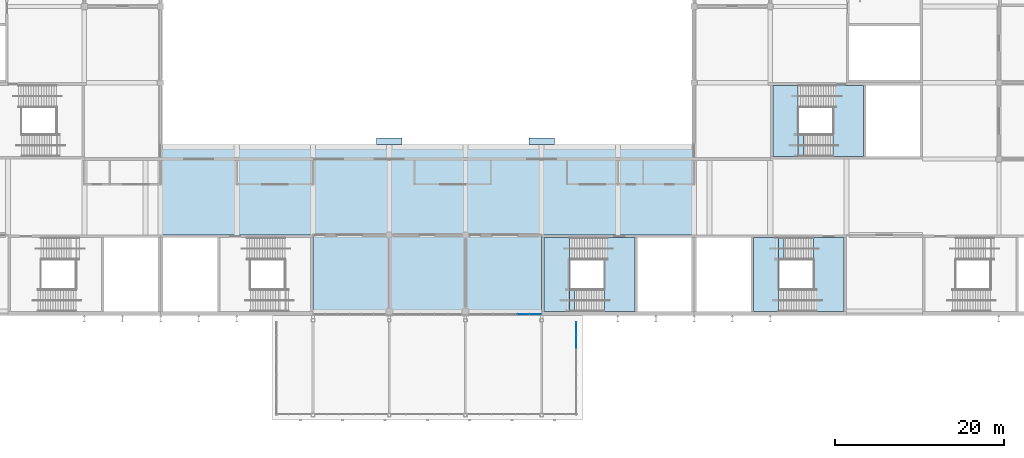
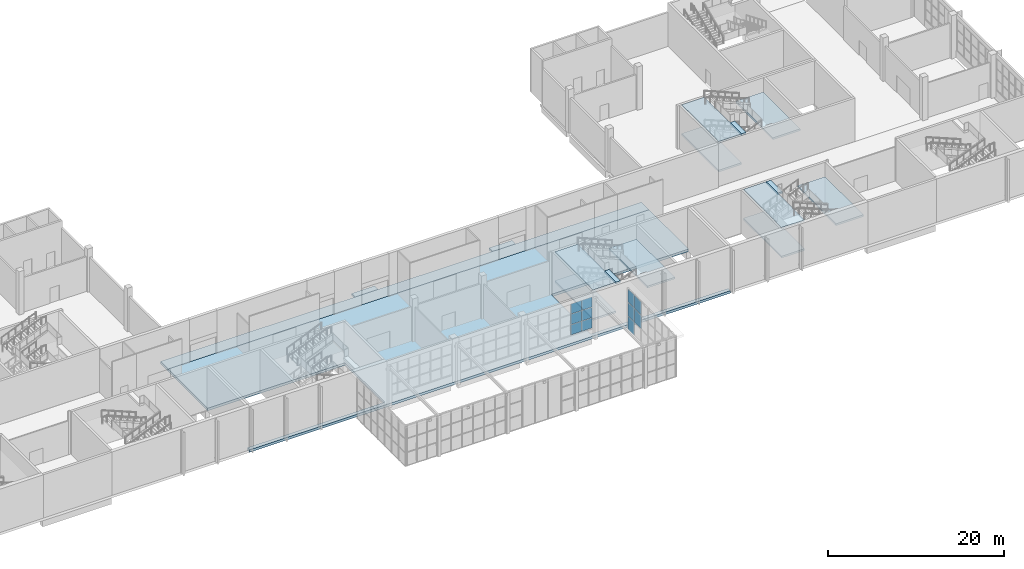
# One storey, part 31 of 89: 16 slabs, 11 plates, 5 elements without a shape of their own.
"""IFC4 building model written with IfcOpenShell, lengths in metres."""

import ifcopenshell
import ifcopenshell.guid

model = None  # the IFC model being written
_history = None  # IfcOwnerHistory: only IFC2X3 demands one
_inside = {}  # id of a spatial element -> (the spatial element, [elements in it])
_under = {}  # id of a project, library or spatial element -> (it, [spatial elements below it])
_declared = {}  # id of a project -> (the project, [libraries it declares])
_typed = {}  # id of a type object -> (the type object, [elements of that type])
_made_of = {}  # id of a material, layer set ... -> (it, [elements and type objects made of it])


def new_model(schema):
    """Start an empty IFC model of exactly this schema.

    Asked for "IFC4X3", IfcOpenShell would pick the latest addendum, in which some entities
    have other attributes; the version numbers below select the first issue.
    IFC2X3 requires an IfcOwnerHistory on every rooted entity: one is made here for all.
    """
    global model, _history
    if schema == "IFC4X3":
        model = ifcopenshell.file(schema_version=(4, 3, 0, 0))
    else:
        model = ifcopenshell.file(schema=schema)
    _inside.clear()
    _under.clear()
    _declared.clear()
    _typed.clear()
    _made_of.clear()
    _history = None
    if model.schema == "IFC2X3":
        org = make("IfcOrganization", Name="unknown")
        user = make(
            "IfcPersonAndOrganization",
            ThePerson=make("IfcPerson", FamilyName="unknown"),
            TheOrganization=org,
        )
        app = make(
            "IfcApplication",
            ApplicationDeveloper=org,
            Version="unknown",
            ApplicationFullName="unknown",
            ApplicationIdentifier="unknown",
        )
        _history = make(
            "IfcOwnerHistory",
            OwningUser=user,
            OwningApplication=app,
            ChangeAction="ADDED",
            CreationDate=0,
        )
    return model


def make(cls, **values):
    """One entity of the class cls with the attributes given. An attribute that is None is left unset."""
    return model.create_entity(
        cls, **{name: value for name, value in values.items() if value is not None}
    )


def rooted(cls, **values):
    """An entity with a GlobalId (a new one), such as an element, a storey or a relation."""
    return make(cls, GlobalId=ifcopenshell.guid.new(), OwnerHistory=_history, **values)


def si_unit(unit_type, name, prefix=None):
    """IfcSIUnit, for example si_unit("LENGTHUNIT", "METRE", prefix="MILLI")."""
    return make("IfcSIUnit", UnitType=unit_type, Prefix=prefix, Name=name)


def assignment(units):
    """IfcUnitAssignment: the units of a project."""
    return None if units is None else make("IfcUnitAssignment", Units=units)


def point(xyz):
    """IfcCartesianPoint."""
    return None if xyz is None else make("IfcCartesianPoint", Coordinates=xyz)


def direction(xyz):
    """IfcDirection."""
    return None if xyz is None else make("IfcDirection", DirectionRatios=xyz)


def frame(location, z_axis=None, x_axis=None):
    """IfcAxis2Placement3D, a coordinate frame: its origin and axes. An axis left out is left unset."""
    return make(
        "IfcAxis2Placement3D",
        Location=point(location),
        Axis=direction(z_axis),
        RefDirection=direction(x_axis),
    )


def frame_2d(location, x_axis=None):
    """IfcAxis2Placement2D, a coordinate frame in the plane: its origin and x axis."""
    return make(
        "IfcAxis2Placement2D", Location=point(location), RefDirection=direction(x_axis)
    )


def origin():
    """The frame at (0, 0, 0) with its axes left unset."""
    return frame((0.0, 0.0, 0.0))


def origin_2d():
    """The frame at (0, 0) in the plane with its x axis left unset."""
    return frame_2d((0.0, 0.0))


def place(relative_to, where):
    """IfcLocalPlacement: puts the frame where relative to a parent placement (None: the world)."""
    return make(
        "IfcLocalPlacement", PlacementRelTo=relative_to, RelativePlacement=where
    )


def context(
    kind, dimensions, precision=None, world=None, true_north=None, identifier=None
):
    """IfcGeometricRepresentationContext, for example the 3D "Model" context."""
    return make(
        "IfcGeometricRepresentationContext",
        ContextIdentifier=identifier,
        ContextType=kind,
        CoordinateSpaceDimension=dimensions,
        Precision=precision,
        WorldCoordinateSystem=world,
        TrueNorth=true_north,
    )


def subcontext(parent, identifier, kind, view, scale=None):
    """IfcGeometricRepresentationSubContext, for example "Body" below "Model"."""
    return make(
        "IfcGeometricRepresentationSubContext",
        ContextIdentifier=identifier,
        ContextType=kind,
        ParentContext=parent,
        TargetScale=scale,
        TargetView=view,
    )


def project(units=None, contexts=None):
    """IfcProject with its units and contexts."""
    return rooted(
        "IfcProject",
        Name="project",
        RepresentationContexts=contexts,
        UnitsInContext=assignment(units),
    )


def spatial(cls, under=None, at=None, **own):
    """A site, building, storey or space (cls), placed at a placement, below another one or the project."""
    s = rooted(cls, ObjectPlacement=at, **own)
    if under is not None:
        _under.setdefault(under.id(), (under, []))[1].append(s)
    return s


def polyline(points):
    """IfcPolyline through the points."""
    return make("IfcPolyline", Points=[point(p) for p in points])


def profile(cls, at=None, kind="AREA", **sizes):
    """A parametric profile (cls). Its sizes go by their IFC names, for example OverallWidth=200.0."""
    return make(cls, ProfileType=kind, Position=at, **sizes)


def rectangle(**sizes):
    """IfcRectangleProfileDef."""
    return profile("IfcRectangleProfileDef", **sizes)


def outline(outer, holes=None, kind="AREA"):
    """IfcArbitraryClosedProfileDef: a profile drawn as a closed curve; with holes, ...WithVoids."""
    if holes is None:
        return make("IfcArbitraryClosedProfileDef", ProfileType=kind, OuterCurve=outer)
    return make(
        "IfcArbitraryProfileDefWithVoids",
        ProfileType=kind,
        OuterCurve=outer,
        InnerCurves=holes,
    )


def extrude(swept, where, along, depth):
    """IfcExtrudedAreaSolid: the profile swept, set in the frame where, extruded along a direction by depth."""
    return make(
        "IfcExtrudedAreaSolid",
        SweptArea=swept,
        Position=where,
        ExtrudedDirection=direction(along),
        Depth=depth,
    )


def shape(context_of_items, identifier, shape_type, items):
    """IfcShapeRepresentation: the items that make up one representation, for example the "Body"."""
    return make(
        "IfcShapeRepresentation",
        ContextOfItems=context_of_items,
        RepresentationIdentifier=identifier,
        RepresentationType=shape_type,
        Items=items,
    )


def material(Name=None, Category=None):
    """IfcMaterial."""
    return make("IfcMaterial", Name=Name, Category=Category)


def layer(
    of_material, thickness, ventilated=None, Name=None, Category=None, Priority=None
):
    """IfcMaterialLayer: one layer of a wall or slab, of a material (None: an air gap)."""
    return make(
        "IfcMaterialLayer",
        Material=of_material,
        LayerThickness=thickness,
        IsVentilated=ventilated,
        Name=Name,
        Category=Category,
        Priority=Priority,
    )


def layer_set(layers, Name=None):
    """IfcMaterialLayerSet."""
    return make("IfcMaterialLayerSet", MaterialLayers=layers, LayerSetName=Name)


def made_of(thing, what):
    """Note that an element or type object is made of a material, layer set ...; save() writes the relation."""
    if what is not None:
        _made_of.setdefault(what.id(), (what, []))[1].append(thing)
    return thing


def type_object(cls, material=None, **own):
    """A type object (cls), such as IfcWallType, which elements share."""
    return made_of(rooted(cls, **own), material)


def element(
    cls,
    number,
    at=None,
    inside=None,
    cuts=None,
    type_object=None,
    material=None,
    context=None,
    identifier="Body",
    shape_type=None,
    held_by="IfcProductDefinitionShape",
    body=None,
    shapes=None,
    **own,
):
    """One element of the class cls, such as IfcWall. Its Tag is "e" and its number.

    at: its placement. inside: the storey or other place that contains it. cuts: it is an
    opening in that element (IfcRelVoidsElement). A single representation is given by context,
    identifier, shape_type and body (its items); several are given by shapes. held_by: the class
    of the entity that holds the representations. save() writes the other relations.
    """
    e = rooted(cls, Tag="e%d" % number, ObjectPlacement=at, **own)
    if body is not None:
        shapes = [shape(context, identifier, shape_type, body)]
    if shapes is not None:
        e.Representation = make(held_by, Representations=shapes)
    if inside is not None:
        _inside.setdefault(inside.id(), (inside, []))[1].append(e)
    if cuts is not None:
        rooted(
            "IfcRelVoidsElement", RelatingBuildingElement=cuts, RelatedOpeningElement=e
        )
    if type_object is not None:
        _typed.setdefault(type_object.id(), (type_object, []))[1].append(e)
    return made_of(e, material)


def aggregate(whole, parts):
    """IfcRelAggregates: a whole, such as a stair, and the parts it consists of."""
    return rooted("IfcRelAggregates", RelatingObject=whole, RelatedObjects=parts)


def save(model, path):
    """Write the relations noted so far, then the file.

    IfcRelAggregates (storeys below a building ...), IfcRelContainedInSpatialStructure (elements
    in a storey), IfcRelDefinesByType, IfcRelAssociatesMaterial and IfcRelDeclares: one each for
    every whole, place, type object, material and project.
    """
    for whole, parts in _under.values():
        aggregate(whole, parts)
    for where, things in _inside.values():
        rooted(
            "IfcRelContainedInSpatialStructure",
            RelatedElements=things,
            RelatingStructure=where,
        )
    for kind, things in _typed.values():
        rooted("IfcRelDefinesByType", RelatedObjects=things, RelatingType=kind)
    for what, things in _made_of.values():
        rooted("IfcRelAssociatesMaterial", RelatedObjects=things, RelatingMaterial=what)
    for by, libraries in _declared.values():
        rooted("IfcRelDeclares", RelatingContext=by, RelatedDefinitions=libraries)
    model.write(path)


model = new_model("IFC4")

# Units and contexts
model_context = context("Model", 3, precision=1e-05, world=origin(), true_north=direction((0.0, 1.0)))
body_context = subcontext(model_context, "Body", "Model", "MODEL_VIEW")
ifc_project = project(units=[si_unit("LENGTHUNIT", "METRE"), si_unit("AREAUNIT", "SQUARE_METRE"), si_unit("VOLUMEUNIT", "CUBIC_METRE"), si_unit("PLANEANGLEUNIT", "RADIAN"), si_unit("MASSUNIT", "GRAM", prefix="KILO")], contexts=[model_context])

# Site, building, storey
site_placement = place(None, origin())
site = spatial("IfcSite", under=ifc_project, at=site_placement, CompositionType="ELEMENT")
building_placement = place(site_placement, origin())
building = spatial("IfcBuilding", under=site, at=building_placement, Name="Silverbay Arena", CompositionType="ELEMENT")
storey_placement = place(building_placement, frame((0.0, 0.0, 22.0)))
storey = spatial("IfcBuildingStorey", under=building, at=storey_placement, Name="L03", CompositionType="ELEMENT", Elevation=22.0)

# Curtain wall, plates
ifc_material_1 = material(Name="Aluminium framed curtain wall", Category="aluminium")
curtain_wall_type_1 = type_object("IfcCurtainWallType", Name="Curtain wall 8600 x 4400", PredefinedType="NOTDEFINED", material=ifc_material_1)
curtain_wall_1_placement = place(storey_placement, origin())
curtain_wall_1 = element("IfcCurtainWall", 1, at=curtain_wall_1_placement, inside=storey, type_object=curtain_wall_type_1, Name="South curtain wall L03 bay 10", PredefinedType="NOTDEFINED")
ifc_material_2 = material(Name="Laminated glass", Category="glass")
ifc_layer_1 = layer(ifc_material_2, 0.028076171875)
ifc_layer_set_1 = layer_set([ifc_layer_1], Name="Laminated glass")
plate_type = type_object("IfcPlateType", Name="Glass panel 28", PredefinedType="CURTAIN_PANEL", material=ifc_layer_set_1)
plate_1_placement = place(storey_placement, frame((141.85009765625, 17.669921875, 1.050048828125), z_axis=(0.0, 0.0, 1.0), x_axis=(1.0, 0.0, 0.0)))
plate_1 = element("IfcPlate", 2, at=plate_1_placement, type_object=plate_type, Name="CW12 panel 5.1", PredefinedType="CURTAIN_PANEL", context=body_context, shape_type="SweptSolid", body=[
    extrude(rectangle(XDim=1.373291015625, YDim=0.028076171875, at=origin_2d()), origin(), (0.0, 0.0, 1.0), 1.3916015625),
])
plate_2_placement = place(storey_placement, frame((141.85009765625, 17.669921875, 2.49169921875), z_axis=(0.0, 0.0, 1.0), x_axis=(1.0, 0.0, 0.0)))
plate_2 = element("IfcPlate", 3, at=plate_2_placement, type_object=plate_type, Name="CW12 panel 5.2", PredefinedType="CURTAIN_PANEL", context=body_context, shape_type="SweptSolid", body=[
    extrude(rectangle(XDim=1.373291015625, YDim=0.028076171875, at=origin_2d()), origin(), (0.0, 0.0, 1.0), 1.416748046875),
])
plate_3_placement = place(storey_placement, frame((141.85009765625, 17.669921875, 3.958251953125), z_axis=(0.0, 0.0, 1.0), x_axis=(1.0, 0.0, 0.0)))
plate_3 = element("IfcPlate", 4, at=plate_3_placement, type_object=plate_type, Name="CW12 panel 5.3", PredefinedType="CURTAIN_PANEL", context=body_context, shape_type="SweptSolid", body=[
    extrude(rectangle(XDim=1.373291015625, YDim=0.028076171875, at=origin_2d()), origin(), (0.0, 0.0, 1.0), 1.3916015625),
])
plate_4_placement = place(storey_placement, frame((143.268310546875, 17.669921875, 1.050048828125), z_axis=(0.0, 0.0, 1.0), x_axis=(1.0, 0.0, 0.0)))
plate_4 = element("IfcPlate", 5, at=plate_4_placement, type_object=plate_type, Name="CW12 panel 6.1", PredefinedType="CURTAIN_PANEL", context=body_context, shape_type="SweptSolid", body=[
    extrude(rectangle(XDim=1.34326171875, YDim=0.028076171875, at=origin_2d()), origin(), (0.0, 0.0, 1.0), 1.3916015625),
])
plate_5_placement = place(storey_placement, frame((143.268310546875, 17.669921875, 2.49169921875), z_axis=(0.0, 0.0, 1.0), x_axis=(1.0, 0.0, 0.0)))
plate_5 = element("IfcPlate", 6, at=plate_5_placement, type_object=plate_type, Name="CW12 panel 6.2", PredefinedType="CURTAIN_PANEL", context=body_context, shape_type="SweptSolid", body=[
    extrude(rectangle(XDim=1.34326171875, YDim=0.028076171875, at=origin_2d()), origin(), (0.0, 0.0, 1.0), 1.416748046875),
])
plate_6_placement = place(storey_placement, frame((143.268310546875, 17.669921875, 3.958251953125), z_axis=(0.0, 0.0, 1.0), x_axis=(1.0, 0.0, 0.0)))
plate_6 = element("IfcPlate", 7, at=plate_6_placement, type_object=plate_type, Name="CW12 panel 6.3", PredefinedType="CURTAIN_PANEL", context=body_context, shape_type="SweptSolid", body=[
    extrude(rectangle(XDim=1.34326171875, YDim=0.028076171875, at=origin_2d()), origin(), (0.0, 0.0, 1.0), 1.3916015625),
])
aggregate(curtain_wall_1, [plate_1, plate_2, plate_3, plate_4, plate_5, plate_6])

ifc_material_3 = material(Name="Aluminium framed curtain wall", Category="aluminium")
curtain_wall_type_2 = type_object("IfcCurtainWallType", Name="Curtain wall 11000 x 5700", PredefinedType="NOTDEFINED", material=ifc_material_3)
curtain_wall_2_placement = place(storey_placement, origin())
curtain_wall_2 = element("IfcCurtainWall", 8, at=curtain_wall_2_placement, inside=storey, type_object=curtain_wall_type_2, Name="South entrance hall S1 glazing SB", PredefinedType="NOTDEFINED")
plate_7_placement = place(storey_placement, frame((148.090087890625, 14.392822265625, 1.925048828125), z_axis=(0.0, 0.0, 1.0), x_axis=(0.0, 1.0, 0.0)))
plate_7 = element("IfcPlate", 9, at=plate_7_placement, type_object=plate_type, Name="CW38 panel 6.2", PredefinedType="CURTAIN_PANEL", context=body_context, shape_type="SweptSolid", body=[
    extrude(rectangle(XDim=1.511474609375, YDim=0.028076171875, at=origin_2d()), origin(), (0.0, 0.0, 1.0), 1.85009765625),
])
plate_8_placement = place(storey_placement, frame((148.090087890625, 14.392822265625, 3.8251953125), z_axis=(0.0, 0.0, 1.0), x_axis=(0.0, 1.0, 0.0)))
plate_8 = element("IfcPlate", 10, at=plate_8_placement, type_object=plate_type, Name="CW38 panel 6.3", PredefinedType="CURTAIN_PANEL", context=body_context, shape_type="SweptSolid", body=[
    extrude(rectangle(XDim=1.511474609375, YDim=0.028076171875, at=origin_2d()), origin(), (0.0, 0.0, 1.0), 1.824951171875),
])
plate_9_placement = place(storey_placement, frame((148.090087890625, 15.94921875, 0.0498046875), z_axis=(0.0, 0.0, 1.0), x_axis=(0.0, 1.0, 0.0)))
plate_9 = element("IfcPlate", 11, at=plate_9_placement, type_object=plate_type, Name="CW38 panel 7.1", PredefinedType="CURTAIN_PANEL", context=body_context, shape_type="SweptSolid", body=[
    extrude(rectangle(XDim=1.4814453125, YDim=0.028076171875, at=origin_2d()), origin(), (0.0, 0.0, 1.0), 1.824951171875),
])
plate_10_placement = place(storey_placement, frame((148.090087890625, 15.94921875, 1.925048828125), z_axis=(0.0, 0.0, 1.0), x_axis=(0.0, 1.0, 0.0)))
plate_10 = element("IfcPlate", 12, at=plate_10_placement, type_object=plate_type, Name="CW38 panel 7.2", PredefinedType="CURTAIN_PANEL", context=body_context, shape_type="SweptSolid", body=[
    extrude(rectangle(XDim=1.4814453125, YDim=0.028076171875, at=origin_2d()), origin(), (0.0, 0.0, 1.0), 1.85009765625),
])
plate_11_placement = place(storey_placement, frame((148.090087890625, 15.94921875, 3.8251953125), z_axis=(0.0, 0.0, 1.0), x_axis=(0.0, 1.0, 0.0)))
plate_11 = element("IfcPlate", 13, at=plate_11_placement, type_object=plate_type, Name="CW38 panel 7.3", PredefinedType="CURTAIN_PANEL", context=body_context, shape_type="SweptSolid", body=[
    extrude(rectangle(XDim=1.4814453125, YDim=0.028076171875, at=origin_2d()), origin(), (0.0, 0.0, 1.0), 1.824951171875),
])
aggregate(curtain_wall_2, [plate_7, plate_8, plate_9, plate_10, plate_11])

# Slabs
ifc_material_4 = material(Name="Concrete Grade C45", Category="concrete")
ifc_layer_2 = layer(ifc_material_4, 0.35009765625)
ifc_layer_set_2 = layer_set([ifc_layer_2], Name="Concrete Grade C45")
slab_type_1 = type_object("IfcSlabType", Name="RC floor slab 350", PredefinedType="FLOOR", material=ifc_layer_set_2)
slab_1_placement = place(storey_placement, frame((0.0, 0.0, -0.35009765625)))
element("IfcSlab", 14, at=slab_1_placement, inside=storey, type_object=slab_type_1, Name="Floor slab L03 unit 2", PredefinedType="FLOOR", context=body_context, shape_type="SweptSolid", body=[
    extrude(outline(polyline([(99.0, 27.0), (99.0, 35.97509765625), (162.0, 35.97509765625), (162.0, 27.0), (144.0, 27.0), (144.0, 18.0), (162.0, 18.0), (162.0, 17.5), (99.0, 17.5), (99.0, 18.0), (117.0, 18.0), (117.0, 27.0), (99.0, 27.0)])), origin(), (0.0, 0.0, 1.0), 0.35009765625),
])
slab_2_placement = place(storey_placement, frame((0.0, 0.0, -0.35009765625)))
element("IfcSlab", 15, at=slab_2_placement, inside=storey, type_object=slab_type_1, Name="Floor slab L03 unit 5", PredefinedType="FLOOR", context=body_context, shape_type="SweptSolid", body=[
    extrude(outline(polyline([(99.0, 35.97509765625), (99.0, 37.699951171875), (162.0, 37.699951171875), (162.0, 35.97509765625), (99.0, 35.97509765625)])), origin(), (0.0, 0.0, 1.0), 0.35009765625),
])

# Stair, slab
ifc_material_5 = material(Name="Concrete Grade C45", Category="concrete")
stair_type = type_object("IfcStairType", Name="Stair 2600 wide 48 risers 125.0 x 300", PredefinedType="HALF_TURN_STAIR", material=ifc_material_5)
stair_1_placement = place(storey_placement, origin())
stair_1 = element("IfcStair", 16, at=stair_1_placement, inside=storey, type_object=stair_type, Name="Stair ST-S3 L03 to L04", PredefinedType="HALF_TURN_STAIR")
ifc_material_6 = material(Name="Concrete Grade C45", Category="concrete")
ifc_layer_3 = layer(ifc_material_6, 0.25)
ifc_layer_set_3 = layer_set([ifc_layer_3], Name="Concrete Grade C45")
slab_type_2 = type_object("IfcSlabType", Name="Stair arrival platform RC 250", PredefinedType="FLOOR", material=ifc_layer_set_3)
slab_3_placement = place(storey_placement, frame((0.0, 0.0, 5.75)))
slab_3 = element("IfcSlab", 17, at=slab_3_placement, type_object=slab_type_2, Name="Stair ST-S3 L03 to L04 arrival platform 4", PredefinedType="FLOOR", context=body_context, shape_type="SweptSolid", body=[
    extrude(outline(polyline([(147.89990234375, 20.60009765625), (147.2900390625, 20.60009765625), (147.2900390625, 18.0), (147.89990234375, 18.0), (147.89990234375, 20.60009765625)])), origin(), (0.0, 0.0, 1.0), 0.25),
])

stair_2_placement = place(storey_placement, origin())
stair_2 = element("IfcStair", 18, at=stair_2_placement, inside=storey, type_object=stair_type, Name="Stair ST-S4 L03 to L04", PredefinedType="HALF_TURN_STAIR")
slab_4_placement = place(storey_placement, frame((0.0, 0.0, 5.75)))
slab_4 = element("IfcSlab", 19, at=slab_4_placement, type_object=slab_type_2, Name="Stair ST-S4 L03 to L04 arrival platform 4", PredefinedType="FLOOR", context=body_context, shape_type="SweptSolid", body=[
    extrude(outline(polyline([(172.60009765625, 26.699951171875), (171.989990234375, 26.699951171875), (171.989990234375, 24.10009765625), (172.60009765625, 24.10009765625), (172.60009765625, 26.699951171875)])), origin(), (0.0, 0.0, 1.0), 0.25),
])

stair_3_placement = place(storey_placement, origin())
stair_3 = element("IfcStair", 20, at=stair_3_placement, inside=storey, type_object=stair_type, Name="Stair ST-SE1 L03 to L04", PredefinedType="HALF_TURN_STAIR")
slab_5_placement = place(storey_placement, frame((0.0, 0.0, 5.75)))
slab_5 = element("IfcSlab", 21, at=slab_5_placement, type_object=slab_type_2, Name="Stair ST-SE1 L03 to L04 arrival platform 4", PredefinedType="FLOOR", context=body_context, shape_type="SweptSolid", body=[
    extrude(outline(polyline([(174.89990234375, 38.89990234375), (174.2900390625, 38.89990234375), (174.2900390625, 36.300048828125), (174.89990234375, 36.300048828125), (174.89990234375, 38.89990234375)])), origin(), (0.0, 0.0, 1.0), 0.25),
])

# Slab
ifc_material_7 = material(Name="Concrete Grade C45", Category="concrete")
ifc_layer_4 = layer(ifc_material_7, 0.25)
ifc_layer_set_4 = layer_set([ifc_layer_4], Name="Concrete Grade C45")
slab_type_3 = type_object("IfcSlabType", Name="Stair landing RC 250", PredefinedType="LANDING", material=ifc_layer_set_4)
slab_6_placement = place(storey_placement, frame((0.0, 0.0, 1.75)))
slab_6 = element("IfcSlab", 22, at=slab_6_placement, type_object=slab_type_3, Name="Stair ST-S3 L03 to L04 landing 1", PredefinedType="LANDING", context=body_context, shape_type="SweptSolid", body=[
    extrude(outline(polyline([(147.2900390625, 26.699951171875), (144.300048828125, 26.699951171875), (144.300048828125, 18.0), (147.2900390625, 18.0), (147.2900390625, 26.699951171875)])), origin(), (0.0, 0.0, 1.0), 0.25),
])

slab_7_placement = place(storey_placement, frame((0.0, 0.0, 3.75)))
slab_7 = element("IfcSlab", 23, at=slab_7_placement, type_object=slab_type_3, Name="Stair ST-S3 L03 to L04 landing 2", PredefinedType="LANDING", context=body_context, shape_type="SweptSolid", body=[
    extrude(outline(polyline([(155.0, 26.699951171875), (151.39990234375, 26.699951171875), (151.39990234375, 18.0), (155.0, 18.0), (155.0, 26.699951171875)])), origin(), (0.0, 0.0, 1.0), 0.25),
])

slab_8_placement = place(storey_placement, frame((0.0, 0.0, 5.75)))
slab_8 = element("IfcSlab", 24, at=slab_8_placement, type_object=slab_type_3, Name="Stair ST-S3 L03 to L04 landing 3", PredefinedType="LANDING", context=body_context, shape_type="SweptSolid", body=[
    extrude(outline(polyline([(147.2900390625, 26.699951171875), (144.300048828125, 26.699951171875), (144.300048828125, 18.0), (147.2900390625, 18.0), (147.2900390625, 26.699951171875)])), origin(), (0.0, 0.0, 1.0), 0.25),
])

aggregate(stair_1, [slab_6, slab_7, slab_8, slab_3])

slab_9_placement = place(storey_placement, frame((0.0, 0.0, 1.75)))
slab_9 = element("IfcSlab", 25, at=slab_9_placement, type_object=slab_type_3, Name="Stair ST-S4 L03 to L04 landing 1", PredefinedType="LANDING", context=body_context, shape_type="SweptSolid", body=[
    extrude(outline(polyline([(171.989990234375, 26.699951171875), (169.0, 26.699951171875), (169.0, 18.0), (171.989990234375, 18.0), (171.989990234375, 26.699951171875)])), origin(), (0.0, 0.0, 1.0), 0.25),
])

slab_10_placement = place(storey_placement, frame((0.0, 0.0, 3.75)))
slab_10 = element("IfcSlab", 26, at=slab_10_placement, type_object=slab_type_3, Name="Stair ST-S4 L03 to L04 landing 2", PredefinedType="LANDING", context=body_context, shape_type="SweptSolid", body=[
    extrude(outline(polyline([(179.699951171875, 26.699951171875), (176.10009765625, 26.699951171875), (176.10009765625, 18.0), (179.699951171875, 18.0), (179.699951171875, 26.699951171875)])), origin(), (0.0, 0.0, 1.0), 0.25),
])

slab_11_placement = place(storey_placement, frame((0.0, 0.0, 5.75)))
slab_11 = element("IfcSlab", 27, at=slab_11_placement, type_object=slab_type_3, Name="Stair ST-S4 L03 to L04 landing 3", PredefinedType="LANDING", context=body_context, shape_type="SweptSolid", body=[
    extrude(outline(polyline([(171.989990234375, 26.699951171875), (169.0, 26.699951171875), (169.0, 18.0), (171.989990234375, 18.0), (171.989990234375, 26.699951171875)])), origin(), (0.0, 0.0, 1.0), 0.25),
])

aggregate(stair_2, [slab_9, slab_10, slab_11, slab_4])

slab_12_placement = place(storey_placement, frame((0.0, 0.0, 1.75)))
slab_12 = element("IfcSlab", 28, at=slab_12_placement, type_object=slab_type_3, Name="Stair ST-SE1 L03 to L04 landing 1", PredefinedType="LANDING", context=body_context, shape_type="SweptSolid", body=[
    extrude(outline(polyline([(174.2900390625, 44.699951171875), (171.300048828125, 44.699951171875), (171.300048828125, 36.300048828125), (174.2900390625, 36.300048828125), (174.2900390625, 44.699951171875)])), origin(), (0.0, 0.0, 1.0), 0.25),
])

slab_13_placement = place(storey_placement, frame((0.0, 0.0, 3.75)))
slab_13 = element("IfcSlab", 29, at=slab_13_placement, type_object=slab_type_3, Name="Stair ST-SE1 L03 to L04 landing 2", PredefinedType="LANDING", context=body_context, shape_type="SweptSolid", body=[
    extrude(outline(polyline([(182.0, 44.699951171875), (178.39990234375, 44.699951171875), (178.39990234375, 36.300048828125), (182.0, 36.300048828125), (182.0, 44.699951171875)])), origin(), (0.0, 0.0, 1.0), 0.25),
])

slab_14_placement = place(storey_placement, frame((0.0, 0.0, 5.75)))
slab_14 = element("IfcSlab", 30, at=slab_14_placement, type_object=slab_type_3, Name="Stair ST-SE1 L03 to L04 landing 3", PredefinedType="LANDING", context=body_context, shape_type="SweptSolid", body=[
    extrude(outline(polyline([(174.2900390625, 44.699951171875), (171.300048828125, 44.699951171875), (171.300048828125, 36.300048828125), (174.2900390625, 36.300048828125), (174.2900390625, 44.699951171875)])), origin(), (0.0, 0.0, 1.0), 0.25),
])

aggregate(stair_3, [slab_12, slab_13, slab_14, slab_5])

# Slabs
ifc_material_8 = material(Name="Concrete Grade C45", Category="concrete")
ifc_layer_5 = layer(ifc_material_8, 0.300048828125)
ifc_layer_set_5 = layer_set([ifc_layer_5], Name="Concrete Grade C45")
slab_type_4 = type_object("IfcSlabType", Name="Vomitory head slab RC 300", PredefinedType="FLOOR", material=ifc_layer_set_5)
slab_15_placement = place(storey_placement, frame((0.0, 0.0, -0.300048828125)))
element("IfcSlab", 31, at=slab_15_placement, inside=storey, type_object=slab_type_4, Name="Vomitory head slab V03", PredefinedType="FLOOR", context=body_context, shape_type="SweptSolid", body=[
    extrude(outline(polyline([(124.5, 37.699951171875), (127.5, 37.699951171875), (127.5, 38.5), (124.5, 38.5), (124.5, 37.699951171875)])), origin(), (0.0, 0.0, 1.0), 0.300048828125),
])
slab_16_placement = place(storey_placement, frame((0.0, 0.0, -0.300048828125)))
element("IfcSlab", 32, at=slab_16_placement, inside=storey, type_object=slab_type_4, Name="Vomitory head slab V04", PredefinedType="FLOOR", context=body_context, shape_type="SweptSolid", body=[
    extrude(outline(polyline([(142.5, 37.699951171875), (145.5, 37.699951171875), (145.5, 38.5), (142.5, 38.5), (142.5, 37.699951171875)])), origin(), (0.0, 0.0, 1.0), 0.300048828125),
])

save(model, "model.ifc")
